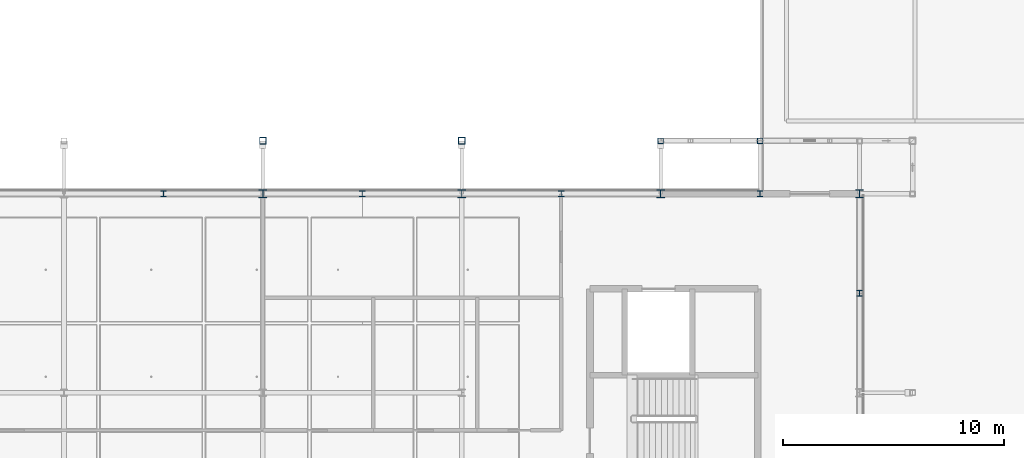
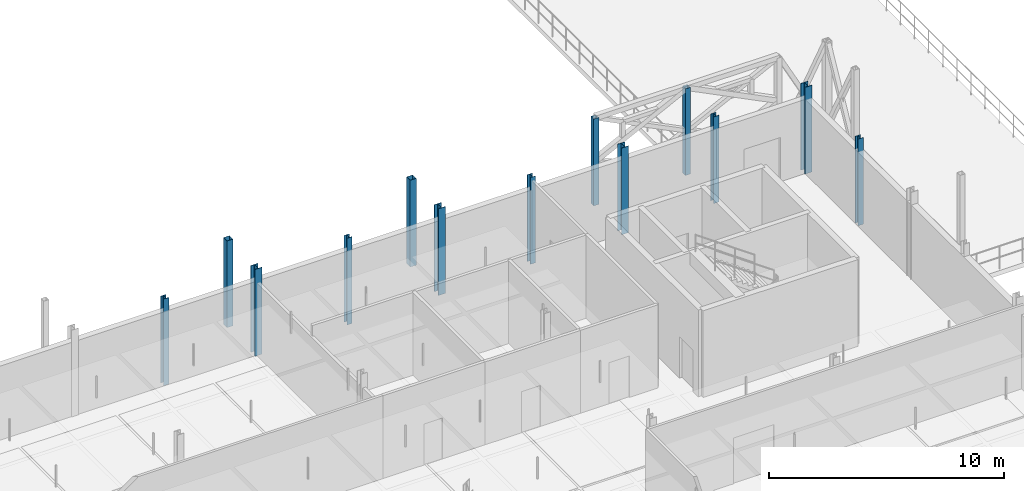
# One storey, part 8 of 89: 13 columns.
"""IFC4 building model written with IfcOpenShell, lengths in metres."""

from ifc_helpers import new_model, si_unit, direction, frame, origin, origin_2d, place, context, subcontext, project, spatial, hollow_rectangle, i_section, extrude, material, material_profile, profile_set, type_object, element, save


model = new_model("IFC4")

# Units and contexts
model_context = context("Model", 3, precision=1e-05, world=origin(), true_north=direction((0.0, 1.0)))
body_context = subcontext(model_context, "Body", "Model", "MODEL_VIEW")
ifc_project = project(units=[si_unit("LENGTHUNIT", "METRE"), si_unit("AREAUNIT", "SQUARE_METRE"), si_unit("VOLUMEUNIT", "CUBIC_METRE"), si_unit("PLANEANGLEUNIT", "RADIAN"), si_unit("MASSUNIT", "GRAM", prefix="KILO"), si_unit("THERMODYNAMICTEMPERATUREUNIT", "KELVIN"), si_unit("POWERUNIT", "WATT")], contexts=[model_context])

# Site, building, storey
site_placement = place(None, origin())
site = spatial("IfcSite", under=ifc_project, at=site_placement, CompositionType="ELEMENT")
building_placement = place(site_placement, origin())
building = spatial("IfcBuilding", under=site, at=building_placement, Name="Tallowbark Science Centre", CompositionType="ELEMENT")
storey_placement = place(building_placement, frame((0.0, 0.0, 14.39990234375)))
storey = spatial("IfcBuildingStorey", under=building, at=storey_placement, Name="L03", CompositionType="ELEMENT", Elevation=14.39990234375)

# Columns
ifc_material_1 = material(Name="White Architectural Painted Steel Grade C350L0 (350 MPa)", Category="steel")
ifc_material_profile_1 = material_profile(ifc_material_1, hollow_rectangle(XDim=0.25, YDim=0.25, WallThickness=0.009033203125, at=origin_2d()), Name="250x250x9.0SHS")
ifc_profile_set_1 = profile_set([ifc_material_profile_1], Name="White Architectural Painted Steel Grade C350L0 (350 MPa)")
column_type_1 = type_object("IfcColumnType", Name="COL-SCR200", PredefinedType="COLUMN", material=ifc_profile_set_1)
for number, where, z_axis, x_axis, name in (
    (1, (94.5, 42.89990234375, 0.0), (0.0, 0.0, 1.0), (1.0, 0.0, 0.0), "Column SCR-N05 L03"),
    (2, (99.0, 42.89990234375, 0.0), (0.0, 0.0, 1.0), (1.0, 0.0, 0.0), "Column SCR-NLNK L03"),
):
    element("IfcColumn", number, at=place(storey_placement, frame(where, z_axis=z_axis, x_axis=x_axis)), inside=storey, type_object=column_type_1, Name=name, PredefinedType="COLUMN", context=body_context, shape_type="SweptSolid", body=[
        extrude(hollow_rectangle(XDim=0.25, YDim=0.25, WallThickness=0.009033203125, at=origin_2d()), origin(), (0.0, 0.0, 1.0), 4.5),
    ])
ifc_material_profile_2 = material_profile(ifc_material_1, hollow_rectangle(XDim=0.300048828125, YDim=0.300048828125, WallThickness=0.010009765625, at=origin_2d()), Name="300x300x10.0SHS")
ifc_profile_set_2 = profile_set([ifc_material_profile_2], Name="White Architectural Painted Steel Grade C350L0 (350 MPa)")
column_type_2 = type_object("IfcColumnType", Name="COL-SCR300", PredefinedType="COLUMN", material=ifc_profile_set_2)
for number, where, z_axis, x_axis, name in (
    (3, (76.5, 42.89990234375, 0.0), (0.0, 0.0, 1.0), (1.0, 0.0, 0.0), "Column SCR-N03 L03"),
    (4, (85.5, 42.89990234375, 0.0), (0.0, 0.0, 1.0), (1.0, 0.0, 0.0), "Column SCR-N04 L03"),
):
    element("IfcColumn", number, at=place(storey_placement, frame(where, z_axis=z_axis, x_axis=x_axis)), inside=storey, type_object=column_type_2, Name=name, PredefinedType="COLUMN", context=body_context, shape_type="SweptSolid", body=[
        extrude(hollow_rectangle(XDim=0.300048828125, YDim=0.300048828125, WallThickness=0.010009765625, at=origin_2d()), origin(), (0.0, 0.0, 1.0), 4.5),
    ])
ifc_material_2 = material(Name="Structural Steel Grade 300PLUS (300 MPa)", Category="steel")
ifc_material_profile_3 = material_profile(ifc_material_2, i_section(OverallWidth=0.35009765625, OverallDepth=0.35888671875, WebThickness=0.01611328125, FlangeThickness=0.02392578125, FilletRadius=0.013916015625, at=origin_2d()), Name="350WC197")
ifc_profile_set_3 = profile_set([ifc_material_profile_3], Name="Structural Steel Grade 300PLUS (300 MPa)")
column_type_3 = type_object("IfcColumnType", Name="COL-WC350", PredefinedType="COLUMN", material=ifc_profile_set_3)
for number, where, z_axis, x_axis, name in (
    (5, (76.5, 40.5, 0.0), (0.0, 0.0, 1.0), (1.0, 0.0, 0.0), "Column CUB-M2_4 L03"),
    (6, (85.5, 40.5, 0.0), (0.0, 0.0, 1.0), (1.0, 0.0, 0.0), "Column CUB-M3_4 L03"),
    (7, (94.5, 40.5, 0.0), (0.0, 0.0, 1.0), (1.0, 0.0, 0.0), "Column CUB-M4_4 L03"),
    (8, (103.5, 40.5, 0.0), (0.0, 0.0, 1.0), (1.0, 0.0, 0.0), "Column CUB-M5_4 L03"),
):
    element("IfcColumn", number, at=place(storey_placement, frame(where, z_axis=z_axis, x_axis=x_axis)), inside=storey, type_object=column_type_3, Name=name, PredefinedType="COLUMN", context=body_context, shape_type="SweptSolid", body=[
        extrude(i_section(OverallWidth=0.35009765625, OverallDepth=0.35888671875, WebThickness=0.01611328125, FlangeThickness=0.02392578125, FilletRadius=0.013916015625, at=origin_2d()), origin(), (0.0, 0.0, 1.0), 4.5),
    ])
ifc_material_profile_4 = material_profile(ifc_material_2, i_section(OverallWidth=0.256103515625, OverallDepth=0.260009765625, WebThickness=0.010498046875, FlangeThickness=0.017333984375, FilletRadius=0.013916015625, at=origin_2d()), Name="250UC89.5")
ifc_profile_set_4 = profile_set([ifc_material_profile_4], Name="Structural Steel Grade 300PLUS (300 MPa)")
column_type_4 = type_object("IfcColumnType", Name="PIL-UC250", PredefinedType="PILASTER", material=ifc_profile_set_4)
for number, where, z_axis, x_axis, name in (
    (9, (72.0, 40.5, 0.0), (0.0, 0.0, 1.0), (1.0, 0.0, 0.0), "Column CUB-PN-1 L03"),
    (10, (81.0, 40.5, 0.0), (0.0, 0.0, 1.0), (1.0, 0.0, 0.0), "Column CUB-PN-2 L03"),
    (11, (90.0, 40.5, 0.0), (0.0, 0.0, 1.0), (1.0, 0.0, 0.0), "Column CUB-PN-3 L03"),
    (12, (99.0, 40.5, 0.0), (0.0, 0.0, 1.0), (1.0, 0.0, 0.0), "Column CUB-PN-4 L03"),
    (13, (103.5, 36.0, 0.0), (0.0, 0.0, 1.0), (1.0, 0.0, 0.0), "Column CUB-PE-3 L03"),
):
    element("IfcColumn", number, at=place(storey_placement, frame(where, z_axis=z_axis, x_axis=x_axis)), inside=storey, type_object=column_type_4, Name=name, PredefinedType="PILASTER", context=body_context, shape_type="SweptSolid", body=[
        extrude(i_section(OverallWidth=0.256103515625, OverallDepth=0.260009765625, WebThickness=0.010498046875, FlangeThickness=0.017333984375, FilletRadius=0.013916015625, at=origin_2d()), origin(), (0.0, 0.0, 1.0), 4.5),
    ])

save(model, "model.ifc")
